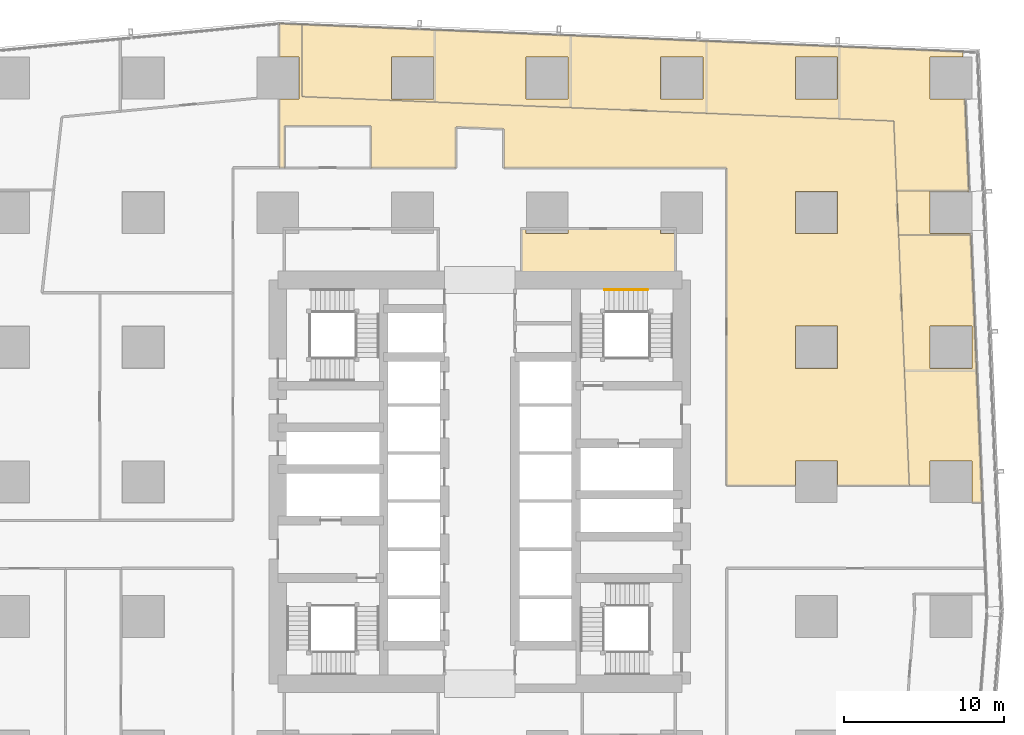
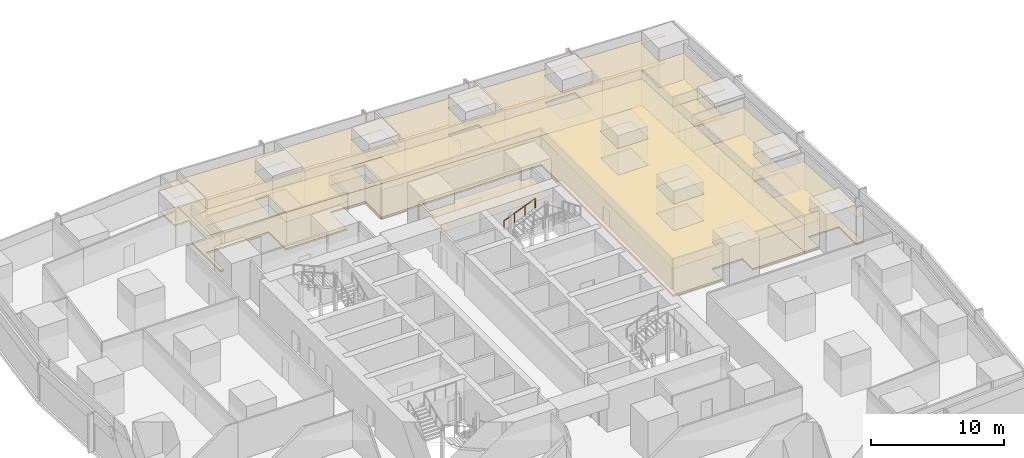
# One storey, part 46 of 46: 9 coverings, 1 railing.
"""IFC4 building model written with IfcOpenShell, lengths in metres."""

from ifc_helpers import new_model, si_unit, direction, frame, origin, origin_2d, place, context, subcontext, project, spatial, polyline, circle, outline, extrude, material, layer, layer_set, type_object, element, save


model = new_model("IFC4")

# Units and contexts
model_context = context("Model", 3, precision=1e-05, world=origin(), true_north=direction((0.0, 1.0)))
body_context = subcontext(model_context, "Body", "Model", "MODEL_VIEW")
ifc_project = project(units=[si_unit("LENGTHUNIT", "METRE"), si_unit("AREAUNIT", "SQUARE_METRE"), si_unit("VOLUMEUNIT", "CUBIC_METRE"), si_unit("PLANEANGLEUNIT", "RADIAN"), si_unit("MASSUNIT", "GRAM", prefix="KILO")], contexts=[model_context])

# Site, building, storey
site_placement = place(None, origin())
site = spatial("IfcSite", under=ifc_project, at=site_placement, CompositionType="ELEMENT")
building_placement = place(site_placement, origin())
building = spatial("IfcBuilding", under=site, at=building_placement, Name="Rekha Terrace Tower", CompositionType="ELEMENT")
storey_placement = place(building_placement, frame((0.0, 0.0, 29.14990234375)))
storey = spatial("IfcBuildingStorey", under=building, at=storey_placement, Name="L06", CompositionType="ELEMENT", Elevation=29.14990234375)

# Coverings
ifc_material_1 = material(Name="Mineral fibre tile in exposed grid", Category="finish")
ifc_layer_1 = layer(ifc_material_1, 0.02001953125)
ifc_layer_set_1 = layer_set([ifc_layer_1], Name="Mineral fibre tile in exposed grid")
covering_type_1 = type_object("IfcCoveringType", Name="CL1 600x1200 office grid ceiling", PredefinedType="CEILING", material=ifc_layer_set_1)
covering_1_placement = place(storey_placement, frame((0.0, 0.0, 2.580078125)))
element("IfcCovering", 1, at=covering_1_placement, inside=storey, type_object=covering_type_1, Name="Ceiling L06-05", PredefinedType="CEILING", context=body_context, shape_type="SweptSolid", body=[
    extrude(outline(polyline([(68.7958984375, 40.535888671875), (68.43505859375, 49.001953125), (63.930908203125, 49.001953125), (64.2919921875, 40.534912109375), (64.597900390625, 33.3720703125), (65.885009765625, 33.3720703125), (65.885009765625, 34.9150390625), (68.514892578125, 34.9150390625), (68.514892578125, 32.324951171875), (69.14697265625, 32.324951171875), (69.10302734375, 33.3720703125), (68.7958984375, 40.535888671875)]), holes=[polyline([(68.514892578125, 40.68505859375), (65.885009765625, 40.68505859375), (65.885009765625, 43.31494140625), (68.514892578125, 43.31494140625), (68.514892578125, 40.68505859375)])]), origin(), (0.0, 0.0, 1.0), 0.02001953125),
])
covering_2_placement = place(storey_placement, frame((0.0, 0.0, 2.580078125)))
element("IfcCovering", 2, at=covering_2_placement, inside=storey, type_object=covering_type_1, Name="Ceiling L06-06", PredefinedType="CEILING", context=body_context, shape_type="SweptSolid", body=[
    extrude(outline(polyline([(68.31689453125, 51.756103515625), (63.81298828125, 51.756103515625), (63.930908203125, 49.0029296875), (68.43505859375, 49.0029296875), (68.430908203125, 49.0849609375), (65.885009765625, 49.0849609375), (65.885009765625, 51.715087890625), (68.319091796875, 51.715087890625), (68.31689453125, 51.756103515625)])), origin(), (0.0, 0.0, 1.0), 0.02001953125),
])
covering_3_placement = place(storey_placement, frame((0.0, 0.0, 2.580078125)))
element("IfcCovering", 3, at=covering_3_placement, inside=storey, type_object=covering_type_1, Name="Ceiling L06-07", PredefinedType="CEILING", context=body_context, shape_type="SweptSolid", body=[
    extrude(outline(polyline([(43.47412109375, 61.451904296875), (35.0009765625, 61.801025390625), (26.708984375, 62.14306640625), (26.708984375, 57.638916015625), (35.001953125, 57.297119140625), (43.47412109375, 56.947998046875), (51.947021484375, 56.59912109375), (60.239990234375, 56.257080078125), (63.626953125, 56.116943359375), (63.81298828125, 51.757080078125), (68.31689453125, 51.757080078125), (68.072021484375, 57.485107421875), (65.885009765625, 57.485107421875), (65.885009765625, 60.114990234375), (67.9599609375, 60.114990234375), (67.946044921875, 60.443115234375), (60.236083984375, 60.760986328125), (51.944091796875, 61.10302734375), (43.47412109375, 61.451904296875)]), holes=[polyline([(60.114990234375, 57.485107421875), (57.485107421875, 57.485107421875), (57.485107421875, 60.114990234375), (60.114990234375, 60.114990234375), (60.114990234375, 57.485107421875)]), polyline([(51.715087890625, 57.485107421875), (49.0849609375, 57.485107421875), (49.0849609375, 60.114990234375), (51.715087890625, 60.114990234375), (51.715087890625, 57.485107421875)]), polyline([(43.31494140625, 57.485107421875), (40.68505859375, 57.485107421875), (40.68505859375, 60.114990234375), (43.31494140625, 60.114990234375), (43.31494140625, 57.485107421875)]), polyline([(34.9150390625, 57.485107421875), (32.284912109375, 57.485107421875), (32.284912109375, 60.114990234375), (34.9150390625, 60.114990234375), (34.9150390625, 57.485107421875)])]), origin(), (0.0, 0.0, 1.0), 0.02001953125),
])
covering_4_placement = place(storey_placement, frame((0.0, 0.0, 2.580078125)))
element("IfcCovering", 4, at=covering_4_placement, inside=storey, type_object=covering_type_1, Name="Ceiling L06-O2", PredefinedType="CEILING", context=body_context, shape_type="SweptSolid", body=[
    extrude(outline(polyline([(43.471923828125, 56.947998046875), (34.9990234375, 57.297119140625), (26.708984375, 57.638916015625), (26.708984375, 62.14306640625), (25.325927734375, 62.199951171875), (25.291015625, 62.197021484375), (25.291015625, 60.114990234375), (26.514892578125, 60.114990234375), (26.514892578125, 57.485107421875), (25.291015625, 57.485107421875), (25.291015625, 53.199951171875), (25.60009765625, 53.199951171875), (25.60009765625, 55.794921875), (31.0, 55.794921875), (31.0, 53.199951171875), (36.300048828125, 53.199951171875), (36.300048828125, 55.742919921875), (39.300048828125, 55.618896484375), (39.300048828125, 53.199951171875), (53.199951171875, 53.199951171875), (53.199951171875, 33.3720703125), (57.485107421875, 33.3720703125), (57.485107421875, 34.9150390625), (60.114990234375, 34.9150390625), (60.114990234375, 33.3720703125), (64.597900390625, 33.3720703125), (64.291015625, 40.551025390625), (63.929931640625, 49.01806640625), (63.81201171875, 51.77197265625), (63.626953125, 56.116943359375), (60.238037109375, 56.257080078125), (51.945068359375, 56.59912109375), (43.471923828125, 56.947998046875)]), holes=[polyline([(60.114990234375, 40.68505859375), (57.485107421875, 40.68505859375), (57.485107421875, 43.31494140625), (60.114990234375, 43.31494140625), (60.114990234375, 40.68505859375)]), polyline([(60.114990234375, 49.0849609375), (57.485107421875, 49.0849609375), (57.485107421875, 51.715087890625), (60.114990234375, 51.715087890625), (60.114990234375, 49.0849609375)])]), origin(), (0.0, 0.0, 1.0), 0.02001953125),
])
ifc_material_2 = material(Name="Fibre cement board", Category="finish")
ifc_layer_2 = layer(ifc_material_2, 0.014892578125)
ifc_layer_set_2 = layer_set([ifc_layer_2], Name="Fibre cement board")
covering_type_2 = type_object("IfcCoveringType", Name="CL2 moisture-resistant board ceiling", PredefinedType="CEILING", material=ifc_layer_set_2)
covering_5_placement = place(storey_placement, frame((0.0, 0.0, 2.585205078125)))
element("IfcCovering", 5, at=covering_5_placement, inside=storey, type_object=covering_type_2, Name="Ceiling L06-WCF", PredefinedType="CEILING", context=body_context, shape_type="SweptSolid", body=[
    extrude(outline(polyline([(40.68505859375, 49.39990234375), (40.39990234375, 49.39990234375), (40.39990234375, 46.199951171875), (50.0, 46.199951171875), (50.0, 49.0849609375), (49.0849609375, 49.0849609375), (49.0849609375, 49.39990234375), (43.31494140625, 49.39990234375), (43.31494140625, 49.0849609375), (40.68505859375, 49.0849609375), (40.68505859375, 49.39990234375)])), origin(), (0.0, 0.0, 1.0), 0.014892578125),
])

# Railing
ifc_material_3 = material(Name="Stainless steel tube", Category="steel")
railing_type = type_object("IfcRailingType", Name="HR1 900 stair handrail", PredefinedType="HANDRAIL", material=ifc_material_3)
railing_placement = place(storey_placement, frame((45.574951171875, 45.590087890625, 1.375)))
element("IfcRailing", 6, at=railing_placement, inside=storey, type_object=railing_type, Name="Handrail ST2 L06 flight 2", PredefinedType="HANDRAIL", context=body_context, shape_type="SweptSolid", body=[
    extrude(circle(Radius=0.02392578125, at=origin_2d()), frame((0.0, 0.0, 0.8759765625), z_axis=(0.923074453586, 0.0, 0.384621311341), x_axis=(0.0, 1.0, 0.0)), (0.0, 0.0, 1.0), 2.925048828125),
    extrude(circle(Radius=0.02099609375, at=origin_2d()), origin(), (0.0, 0.0, 1.0), 0.851806640625),
    extrude(circle(Radius=0.02099609375, at=origin_2d()), frame((0.89990234375, 0.0, 0.375)), (0.0, 0.0, 1.0), 0.851806640625),
    extrude(circle(Radius=0.02099609375, at=origin_2d()), frame((1.800048828125, 0.0, 0.75)), (0.0, 0.0, 1.0), 0.851806640625),
    extrude(circle(Radius=0.02099609375, at=origin_2d()), frame((2.699951171875, 0.0, 1.125)), (0.0, 0.0, 1.0), 0.851806640625),
])

# Coverings
ifc_material_4 = material(Name="Calcium sulphate panels on steel pedestals", Category="steel")
ifc_layer_3 = layer(ifc_material_4, 0.14990234375)
ifc_layer_set_3 = layer_set([ifc_layer_3], Name="Calcium sulphate panels on steel pedestals")
covering_type_3 = type_object("IfcCoveringType", Name="RF1 150 raised access floor", PredefinedType="FLOORING", material=ifc_layer_set_3)
covering_6_placement = place(storey_placement, origin())
element("IfcCovering", 7, at=covering_6_placement, inside=storey, type_object=covering_type_3, Name="Raised floor L06-05", PredefinedType="FLOORING", context=body_context, shape_type="SweptSolid", body=[
    extrude(outline(polyline([(68.7958984375, 40.535888671875), (68.43505859375, 49.001953125), (63.930908203125, 49.001953125), (64.2919921875, 40.534912109375), (64.597900390625, 33.3720703125), (65.885009765625, 33.3720703125), (65.885009765625, 34.9150390625), (68.514892578125, 34.9150390625), (68.514892578125, 32.324951171875), (69.14697265625, 32.324951171875), (69.10302734375, 33.3720703125), (68.7958984375, 40.535888671875)]), holes=[polyline([(68.514892578125, 40.68505859375), (65.885009765625, 40.68505859375), (65.885009765625, 43.31494140625), (68.514892578125, 43.31494140625), (68.514892578125, 40.68505859375)])]), origin(), (0.0, 0.0, 1.0), 0.150146484375),
])
covering_7_placement = place(storey_placement, origin())
element("IfcCovering", 8, at=covering_7_placement, inside=storey, type_object=covering_type_3, Name="Raised floor L06-06", PredefinedType="FLOORING", context=body_context, shape_type="SweptSolid", body=[
    extrude(outline(polyline([(68.31689453125, 51.756103515625), (63.81298828125, 51.756103515625), (63.930908203125, 49.0029296875), (68.43505859375, 49.0029296875), (68.430908203125, 49.0849609375), (65.885009765625, 49.0849609375), (65.885009765625, 51.715087890625), (68.319091796875, 51.715087890625), (68.31689453125, 51.756103515625)])), origin(), (0.0, 0.0, 1.0), 0.150146484375),
])
covering_8_placement = place(storey_placement, origin())
element("IfcCovering", 9, at=covering_8_placement, inside=storey, type_object=covering_type_3, Name="Raised floor L06-07", PredefinedType="FLOORING", context=body_context, shape_type="SweptSolid", body=[
    extrude(outline(polyline([(43.47412109375, 61.451904296875), (35.0009765625, 61.801025390625), (26.708984375, 62.14306640625), (26.708984375, 57.638916015625), (35.001953125, 57.297119140625), (43.47412109375, 56.947998046875), (51.947021484375, 56.59912109375), (60.239990234375, 56.257080078125), (63.626953125, 56.116943359375), (63.81298828125, 51.757080078125), (68.31689453125, 51.757080078125), (68.072021484375, 57.485107421875), (65.885009765625, 57.485107421875), (65.885009765625, 60.114990234375), (67.9599609375, 60.114990234375), (67.946044921875, 60.443115234375), (60.236083984375, 60.760986328125), (51.944091796875, 61.10302734375), (43.47412109375, 61.451904296875)]), holes=[polyline([(60.114990234375, 57.485107421875), (57.485107421875, 57.485107421875), (57.485107421875, 60.114990234375), (60.114990234375, 60.114990234375), (60.114990234375, 57.485107421875)]), polyline([(51.715087890625, 57.485107421875), (49.0849609375, 57.485107421875), (49.0849609375, 60.114990234375), (51.715087890625, 60.114990234375), (51.715087890625, 57.485107421875)]), polyline([(43.31494140625, 57.485107421875), (40.68505859375, 57.485107421875), (40.68505859375, 60.114990234375), (43.31494140625, 60.114990234375), (43.31494140625, 57.485107421875)]), polyline([(34.9150390625, 57.485107421875), (32.284912109375, 57.485107421875), (32.284912109375, 60.114990234375), (34.9150390625, 60.114990234375), (34.9150390625, 57.485107421875)])]), origin(), (0.0, 0.0, 1.0), 0.150146484375),
])
covering_9_placement = place(storey_placement, origin())
element("IfcCovering", 10, at=covering_9_placement, inside=storey, type_object=covering_type_3, Name="Raised floor L06-O2", PredefinedType="FLOORING", context=body_context, shape_type="SweptSolid", body=[
    extrude(outline(polyline([(43.471923828125, 56.947998046875), (34.9990234375, 57.297119140625), (26.708984375, 57.638916015625), (26.708984375, 62.14306640625), (25.325927734375, 62.199951171875), (25.291015625, 62.197021484375), (25.291015625, 60.114990234375), (26.514892578125, 60.114990234375), (26.514892578125, 57.485107421875), (25.291015625, 57.485107421875), (25.291015625, 53.199951171875), (25.60009765625, 53.199951171875), (25.60009765625, 55.794921875), (31.0, 55.794921875), (31.0, 53.199951171875), (36.300048828125, 53.199951171875), (36.300048828125, 55.742919921875), (39.300048828125, 55.618896484375), (39.300048828125, 53.199951171875), (53.199951171875, 53.199951171875), (53.199951171875, 33.3720703125), (57.485107421875, 33.3720703125), (57.485107421875, 34.9150390625), (60.114990234375, 34.9150390625), (60.114990234375, 33.3720703125), (64.597900390625, 33.3720703125), (64.291015625, 40.551025390625), (63.929931640625, 49.01806640625), (63.81201171875, 51.77197265625), (63.626953125, 56.116943359375), (60.238037109375, 56.257080078125), (51.945068359375, 56.59912109375), (43.471923828125, 56.947998046875)]), holes=[polyline([(60.114990234375, 40.68505859375), (57.485107421875, 40.68505859375), (57.485107421875, 43.31494140625), (60.114990234375, 43.31494140625), (60.114990234375, 40.68505859375)]), polyline([(60.114990234375, 49.0849609375), (57.485107421875, 49.0849609375), (57.485107421875, 51.715087890625), (60.114990234375, 51.715087890625), (60.114990234375, 49.0849609375)])]), origin(), (0.0, 0.0, 1.0), 0.150146484375),
])

save(model, "model.ifc")
